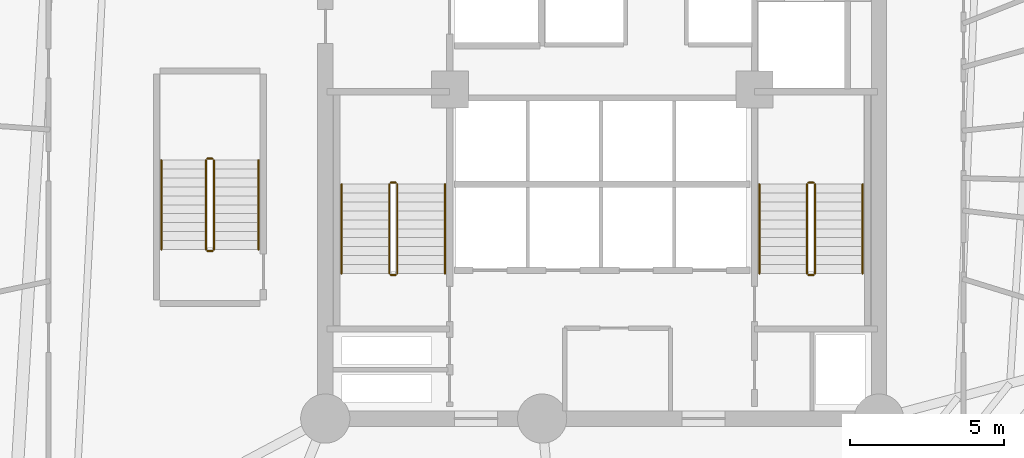
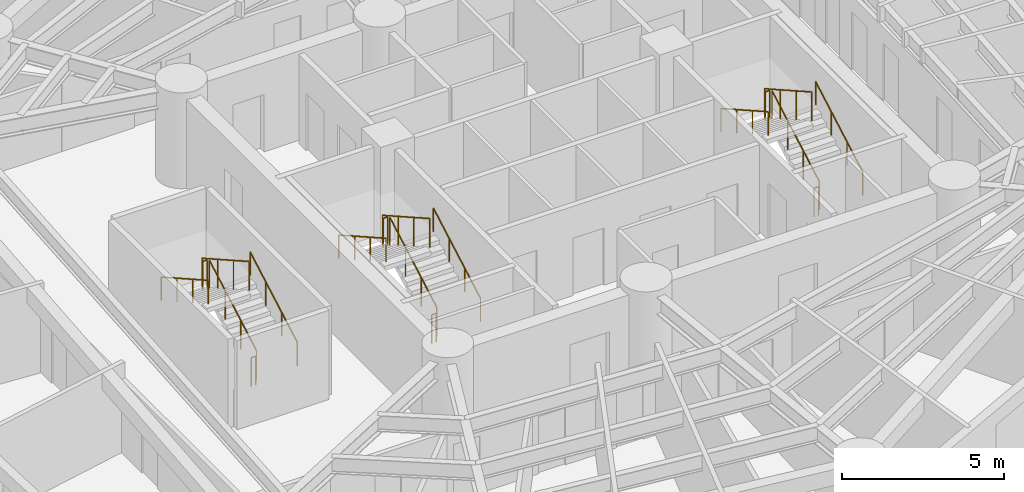
# One storey, part 8 of 8: 18 railings.
"""IFC4 building model written with IfcOpenShell, lengths in metres."""

from ifc_helpers import new_model, si_unit, direction, frame, origin, origin_2d, place, context, subcontext, project, spatial, circle, extrude, material, layer, layer_set, type_object, element, save


model = new_model("IFC4")

# Units and contexts
model_context = context("Model", 3, precision=1e-05, world=origin(), true_north=direction((0.0, 1.0)))
body_context = subcontext(model_context, "Body", "Model", "MODEL_VIEW")
ifc_project = project(units=[si_unit("LENGTHUNIT", "METRE"), si_unit("AREAUNIT", "SQUARE_METRE"), si_unit("VOLUMEUNIT", "CUBIC_METRE"), si_unit("PLANEANGLEUNIT", "RADIAN"), si_unit("MASSUNIT", "GRAM", prefix="KILO")], contexts=[model_context])

# Site, building, storey
site_placement = place(None, origin())
site = spatial("IfcSite", under=ifc_project, at=site_placement, CompositionType="ELEMENT")
building_placement = place(site_placement, origin())
building = spatial("IfcBuilding", under=site, at=building_placement, Name="Karkom Vertical University and Central Library", CompositionType="ELEMENT")
storey_placement = place(building_placement, frame((0.0, 0.0, 51.699951171875)))
storey = spatial("IfcBuildingStorey", under=building, at=storey_placement, Name="L13", CompositionType="ELEMENT", Elevation=51.699951171875)

# Railings
ifc_material_1 = material(Name="Painted galvanised steel balustrade", Category="steel")
ifc_layer_1 = layer(ifc_material_1, 0.06005859375)
ifc_layer_set_1 = layer_set([ifc_layer_1], Name="Painted galvanised steel balustrade")
railing_type_1 = type_object("IfcRailingType", Name="INT-RL-GUARD1100", PredefinedType="GUARDRAIL", material=ifc_layer_set_1)
railing_1_placement = place(storey_placement, frame((21.840087890625, 23.02001953125, 0.16357421875)))
element("IfcRailing", 1, at=railing_1_placement, inside=storey, type_object=railing_type_1, Name="Level 13 ST-1 stair guard 1", PredefinedType="GUARDRAIL", context=body_context, shape_type="SweptSolid", body=[
    extrude(circle(Radius=0.02392578125, at=origin_2d()), frame((0.0, 0.0, 1.076171875), z_axis=(0.0, 0.870897200241, 0.491465224214), x_axis=(-1.0, 0.0, 0.0)), (0.0, 0.0, 1.0), 3.329833984375),
    extrude(circle(Radius=0.02099609375, at=origin_2d()), origin(), (0.0, 0.0, 1.0), 1.052001953125),
    extrude(circle(Radius=0.02099609375, at=origin_2d()), frame((0.0, 0.966552734375, 0.54541015625)), (0.0, 0.0, 1.0), 1.052001953125),
    extrude(circle(Radius=0.02099609375, at=origin_2d()), frame((0.0, 1.933349609375, 1.091064453125)), (0.0, 0.0, 1.0), 1.052001953125),
    extrude(circle(Radius=0.02099609375, at=origin_2d()), frame((0.0, 2.89990234375, 1.636474609375)), (0.0, 0.0, 1.0), 1.052001953125),
])
railing_2_placement = place(storey_placement, frame((21.7900390625, 25.969970703125, 1.800048828125)))
element("IfcRailing", 2, at=railing_2_placement, inside=storey, type_object=railing_type_1, Name="Level 13 ST-1 stair guard 2", PredefinedType="GUARDRAIL", context=body_context, shape_type="SweptSolid", body=[
    extrude(circle(Radius=0.02392578125, at=origin_2d()), frame((0.0, 0.0, 1.076171875), z_axis=(-1.0, 0.0, 0.0), x_axis=(0.0, -1.0, 0.0)), (0.0, 0.0, 1.0), 0.16015625),
    extrude(circle(Radius=0.02099609375, at=origin_2d()), origin(), (0.0, 0.0, 1.0), 1.052001953125),
    extrude(circle(Radius=0.02099609375, at=origin_2d()), frame((-0.16015625, 0.0, 0.0)), (0.0, 0.0, 1.0), 1.052001953125),
])
railing_3_placement = place(storey_placement, frame((21.580078125, 25.919921875, 1.963623046875)))
element("IfcRailing", 3, at=railing_3_placement, inside=storey, type_object=railing_type_1, Name="Level 13 ST-1 stair guard 3", PredefinedType="GUARDRAIL", context=body_context, shape_type="SweptSolid", body=[
    extrude(circle(Radius=0.02392578125, at=origin_2d()), frame((0.0, 0.0, 1.076171875), z_axis=(0.0, -0.870897200241, 0.491465224214), x_axis=(1.0, 0.0, 0.0)), (0.0, 0.0, 1.0), 3.329833984375),
    extrude(circle(Radius=0.02099609375, at=origin_2d()), origin(), (0.0, 0.0, 1.0), 1.052001953125),
    extrude(circle(Radius=0.02099609375, at=origin_2d()), frame((0.0, -0.966552734375, 0.54541015625)), (0.0, 0.0, 1.0), 1.052001953125),
    extrude(circle(Radius=0.02099609375, at=origin_2d()), frame((0.0, -1.933349609375, 1.091064453125)), (0.0, 0.0, 1.0), 1.052001953125),
    extrude(circle(Radius=0.02099609375, at=origin_2d()), frame((0.0, -2.89990234375, 1.636474609375)), (0.0, 0.0, 1.0), 1.052001953125),
])
railing_4_placement = place(storey_placement, frame((21.7900390625, 22.969970703125, 0.0)))
element("IfcRailing", 4, at=railing_4_placement, inside=storey, type_object=railing_type_1, Name="Level 13 ST-1 stair guard 4", PredefinedType="GUARDRAIL", context=body_context, shape_type="SweptSolid", body=[
    extrude(circle(Radius=0.02392578125, at=origin_2d()), frame((0.0, 0.0, 1.076171875), z_axis=(-1.0, 0.0, 0.0), x_axis=(0.0, -1.0, 0.0)), (0.0, 0.0, 1.0), 0.16015625),
    extrude(circle(Radius=0.02099609375, at=origin_2d()), origin(), (0.0, 0.0, 1.0), 1.052001953125),
    extrude(circle(Radius=0.02099609375, at=origin_2d()), frame((-0.16015625, 0.0, 0.0)), (0.0, 0.0, 1.0), 1.052001953125),
])
railing_5_placement = place(storey_placement, frame((35.419921875, 23.02001953125, 0.16357421875)))
element("IfcRailing", 5, at=railing_5_placement, inside=storey, type_object=railing_type_1, Name="Level 13 ST-2 stair guard 1", PredefinedType="GUARDRAIL", context=body_context, shape_type="SweptSolid", body=[
    extrude(circle(Radius=0.02392578125, at=origin_2d()), frame((0.0, 0.0, 1.076171875), z_axis=(0.0, 0.870897200241, 0.491465224214), x_axis=(-1.0, 0.0, 0.0)), (0.0, 0.0, 1.0), 3.329833984375),
    extrude(circle(Radius=0.02099609375, at=origin_2d()), origin(), (0.0, 0.0, 1.0), 1.052001953125),
    extrude(circle(Radius=0.02099609375, at=origin_2d()), frame((0.0, 0.966552734375, 0.54541015625)), (0.0, 0.0, 1.0), 1.052001953125),
    extrude(circle(Radius=0.02099609375, at=origin_2d()), frame((0.0, 1.933349609375, 1.091064453125)), (0.0, 0.0, 1.0), 1.052001953125),
    extrude(circle(Radius=0.02099609375, at=origin_2d()), frame((0.0, 2.89990234375, 1.636474609375)), (0.0, 0.0, 1.0), 1.052001953125),
])
railing_6_placement = place(storey_placement, frame((35.3701171875, 25.969970703125, 1.800048828125)))
element("IfcRailing", 6, at=railing_6_placement, inside=storey, type_object=railing_type_1, Name="Level 13 ST-2 stair guard 2", PredefinedType="GUARDRAIL", context=body_context, shape_type="SweptSolid", body=[
    extrude(circle(Radius=0.02392578125, at=origin_2d()), frame((0.0, 0.0, 1.076171875), z_axis=(-1.0, 0.0, 0.0), x_axis=(0.0, -1.0, 0.0)), (0.0, 0.0, 1.0), 0.16015625),
    extrude(circle(Radius=0.02099609375, at=origin_2d()), origin(), (0.0, 0.0, 1.0), 1.052001953125),
    extrude(circle(Radius=0.02099609375, at=origin_2d()), frame((-0.16015625, 0.0, 0.0)), (0.0, 0.0, 1.0), 1.052001953125),
])
railing_7_placement = place(storey_placement, frame((35.159912109375, 25.919921875, 1.963623046875)))
element("IfcRailing", 7, at=railing_7_placement, inside=storey, type_object=railing_type_1, Name="Level 13 ST-2 stair guard 3", PredefinedType="GUARDRAIL", context=body_context, shape_type="SweptSolid", body=[
    extrude(circle(Radius=0.02392578125, at=origin_2d()), frame((0.0, 0.0, 1.076171875), z_axis=(0.0, -0.870897200241, 0.491465224214), x_axis=(1.0, 0.0, 0.0)), (0.0, 0.0, 1.0), 3.329833984375),
    extrude(circle(Radius=0.02099609375, at=origin_2d()), origin(), (0.0, 0.0, 1.0), 1.052001953125),
    extrude(circle(Radius=0.02099609375, at=origin_2d()), frame((0.0, -0.966552734375, 0.54541015625)), (0.0, 0.0, 1.0), 1.052001953125),
    extrude(circle(Radius=0.02099609375, at=origin_2d()), frame((0.0, -1.933349609375, 1.091064453125)), (0.0, 0.0, 1.0), 1.052001953125),
    extrude(circle(Radius=0.02099609375, at=origin_2d()), frame((0.0, -2.89990234375, 1.636474609375)), (0.0, 0.0, 1.0), 1.052001953125),
])
railing_8_placement = place(storey_placement, frame((35.3701171875, 22.969970703125, 0.0)))
element("IfcRailing", 8, at=railing_8_placement, inside=storey, type_object=railing_type_1, Name="Level 13 ST-2 stair guard 4", PredefinedType="GUARDRAIL", context=body_context, shape_type="SweptSolid", body=[
    extrude(circle(Radius=0.02392578125, at=origin_2d()), frame((0.0, 0.0, 1.076171875), z_axis=(-1.0, 0.0, 0.0), x_axis=(0.0, -1.0, 0.0)), (0.0, 0.0, 1.0), 0.16015625),
    extrude(circle(Radius=0.02099609375, at=origin_2d()), origin(), (0.0, 0.0, 1.0), 1.052001953125),
    extrude(circle(Radius=0.02099609375, at=origin_2d()), frame((-0.16015625, 0.0, 0.0)), (0.0, 0.0, 1.0), 1.052001953125),
])
railing_9_placement = place(storey_placement, frame((15.8798828125, 23.800048828125, 0.16357421875)))
element("IfcRailing", 9, at=railing_9_placement, inside=storey, type_object=railing_type_1, Name="Level 13 ST-3 stair guard 1", PredefinedType="GUARDRAIL", context=body_context, shape_type="SweptSolid", body=[
    extrude(circle(Radius=0.02392578125, at=origin_2d()), frame((0.0, 0.0, 1.076171875), z_axis=(0.0, 0.870897200241, 0.491465224214), x_axis=(-1.0, 0.0, 0.0)), (0.0, 0.0, 1.0), 3.329833984375),
    extrude(circle(Radius=0.02099609375, at=origin_2d()), origin(), (0.0, 0.0, 1.0), 1.052001953125),
    extrude(circle(Radius=0.02099609375, at=origin_2d()), frame((0.0, 0.966552734375, 0.54541015625)), (0.0, 0.0, 1.0), 1.052001953125),
    extrude(circle(Radius=0.02099609375, at=origin_2d()), frame((0.0, 1.933349609375, 1.091064453125)), (0.0, 0.0, 1.0), 1.052001953125),
    extrude(circle(Radius=0.02099609375, at=origin_2d()), frame((0.0, 2.89990234375, 1.636474609375)), (0.0, 0.0, 1.0), 1.052001953125),
])
railing_10_placement = place(storey_placement, frame((15.830078125, 26.75, 1.800048828125)))
element("IfcRailing", 10, at=railing_10_placement, inside=storey, type_object=railing_type_1, Name="Level 13 ST-3 stair guard 2", PredefinedType="GUARDRAIL", context=body_context, shape_type="SweptSolid", body=[
    extrude(circle(Radius=0.02392578125, at=origin_2d()), frame((0.0, 0.0, 1.076171875), z_axis=(-1.0, 0.0, 0.0), x_axis=(0.0, -1.0, 0.0)), (0.0, 0.0, 1.0), 0.16015625),
    extrude(circle(Radius=0.02099609375, at=origin_2d()), origin(), (0.0, 0.0, 1.0), 1.052001953125),
    extrude(circle(Radius=0.02099609375, at=origin_2d()), frame((-0.16015625, 0.0, 0.0)), (0.0, 0.0, 1.0), 1.052001953125),
])
railing_11_placement = place(storey_placement, frame((15.6201171875, 26.699951171875, 1.963623046875)))
element("IfcRailing", 11, at=railing_11_placement, inside=storey, type_object=railing_type_1, Name="Level 13 ST-3 stair guard 3", PredefinedType="GUARDRAIL", context=body_context, shape_type="SweptSolid", body=[
    extrude(circle(Radius=0.02392578125, at=origin_2d()), frame((0.0, 0.0, 1.076171875), z_axis=(0.0, -0.870897200241, 0.491465224214), x_axis=(1.0, 0.0, 0.0)), (0.0, 0.0, 1.0), 3.329833984375),
    extrude(circle(Radius=0.02099609375, at=origin_2d()), origin(), (0.0, 0.0, 1.0), 1.052001953125),
    extrude(circle(Radius=0.02099609375, at=origin_2d()), frame((0.0, -0.966552734375, 0.54541015625)), (0.0, 0.0, 1.0), 1.052001953125),
    extrude(circle(Radius=0.02099609375, at=origin_2d()), frame((0.0, -1.933349609375, 1.091064453125)), (0.0, 0.0, 1.0), 1.052001953125),
    extrude(circle(Radius=0.02099609375, at=origin_2d()), frame((0.0, -2.89990234375, 1.636474609375)), (0.0, 0.0, 1.0), 1.052001953125),
])
railing_12_placement = place(storey_placement, frame((15.830078125, 23.75, 0.0)))
element("IfcRailing", 12, at=railing_12_placement, inside=storey, type_object=railing_type_1, Name="Level 13 ST-3 stair guard 4", PredefinedType="GUARDRAIL", context=body_context, shape_type="SweptSolid", body=[
    extrude(circle(Radius=0.02392578125, at=origin_2d()), frame((0.0, 0.0, 1.076171875), z_axis=(-1.0, 0.0, 0.0), x_axis=(0.0, -1.0, 0.0)), (0.0, 0.0, 1.0), 0.16015625),
    extrude(circle(Radius=0.02099609375, at=origin_2d()), origin(), (0.0, 0.0, 1.0), 1.052001953125),
    extrude(circle(Radius=0.02099609375, at=origin_2d()), frame((-0.16015625, 0.0, 0.0)), (0.0, 0.0, 1.0), 1.052001953125),
])
ifc_material_2 = material(Name="Brushed stainless-steel tubular handrail", Category="steel")
ifc_layer_2 = layer(ifc_material_2, 0.048095703125)
ifc_layer_set_2 = layer_set([ifc_layer_2], Name="Brushed stainless-steel tubular handrail")
railing_type_2 = type_object("IfcRailingType", Name="INT-RL-HAND920", PredefinedType="HANDRAIL", material=ifc_layer_set_2)
railing_13_placement = place(storey_placement, frame((23.389892578125, 23.02001953125, 0.16357421875)))
element("IfcRailing", 13, at=railing_13_placement, inside=storey, type_object=railing_type_2, Name="Level 13 ST-1 stair handrail 1", PredefinedType="HANDRAIL", context=body_context, shape_type="SweptSolid", body=[
    extrude(circle(Radius=0.02392578125, at=origin_2d()), frame((0.0, 0.0, 0.8759765625), z_axis=(0.0, 0.870897200241, 0.491465224214), x_axis=(-1.0, 0.0, 0.0)), (0.0, 0.0, 1.0), 3.329833984375),
    extrude(circle(Radius=0.02099609375, at=origin_2d()), origin(), (0.0, 0.0, 1.0), 0.851806640625),
    extrude(circle(Radius=0.02099609375, at=origin_2d()), frame((0.0, 0.966552734375, 0.54541015625)), (0.0, 0.0, 1.0), 0.851806640625),
    extrude(circle(Radius=0.02099609375, at=origin_2d()), frame((0.0, 1.933349609375, 1.091064453125)), (0.0, 0.0, 1.0), 0.851806640625),
    extrude(circle(Radius=0.02099609375, at=origin_2d()), frame((0.0, 2.89990234375, 1.636474609375)), (0.0, 0.0, 1.0), 0.851806640625),
])
railing_14_placement = place(storey_placement, frame((20.030029296875, 25.919921875, 1.963623046875)))
element("IfcRailing", 14, at=railing_14_placement, inside=storey, type_object=railing_type_2, Name="Level 13 ST-1 stair handrail 2", PredefinedType="HANDRAIL", context=body_context, shape_type="SweptSolid", body=[
    extrude(circle(Radius=0.02392578125, at=origin_2d()), frame((0.0, 0.0, 0.8759765625), z_axis=(0.0, -0.870897200241, 0.491465224214), x_axis=(1.0, 0.0, 0.0)), (0.0, 0.0, 1.0), 3.329833984375),
    extrude(circle(Radius=0.02099609375, at=origin_2d()), origin(), (0.0, 0.0, 1.0), 0.851806640625),
    extrude(circle(Radius=0.02099609375, at=origin_2d()), frame((0.0, -0.966552734375, 0.54541015625)), (0.0, 0.0, 1.0), 0.851806640625),
    extrude(circle(Radius=0.02099609375, at=origin_2d()), frame((0.0, -1.933349609375, 1.091064453125)), (0.0, 0.0, 1.0), 0.851806640625),
    extrude(circle(Radius=0.02099609375, at=origin_2d()), frame((0.0, -2.89990234375, 1.636474609375)), (0.0, 0.0, 1.0), 0.851806640625),
])
railing_15_placement = place(storey_placement, frame((36.969970703125, 23.02001953125, 0.16357421875)))
element("IfcRailing", 15, at=railing_15_placement, inside=storey, type_object=railing_type_2, Name="Level 13 ST-2 stair handrail 1", PredefinedType="HANDRAIL", context=body_context, shape_type="SweptSolid", body=[
    extrude(circle(Radius=0.02392578125, at=origin_2d()), frame((0.0, 0.0, 0.8759765625), z_axis=(0.0, 0.870897200241, 0.491465224214), x_axis=(-1.0, 0.0, 0.0)), (0.0, 0.0, 1.0), 3.329833984375),
    extrude(circle(Radius=0.02099609375, at=origin_2d()), origin(), (0.0, 0.0, 1.0), 0.851806640625),
    extrude(circle(Radius=0.02099609375, at=origin_2d()), frame((0.0, 0.966552734375, 0.54541015625)), (0.0, 0.0, 1.0), 0.851806640625),
    extrude(circle(Radius=0.02099609375, at=origin_2d()), frame((0.0, 1.933349609375, 1.091064453125)), (0.0, 0.0, 1.0), 0.851806640625),
    extrude(circle(Radius=0.02099609375, at=origin_2d()), frame((0.0, 2.89990234375, 1.636474609375)), (0.0, 0.0, 1.0), 0.851806640625),
])
railing_16_placement = place(storey_placement, frame((33.610107421875, 25.919921875, 1.963623046875)))
element("IfcRailing", 16, at=railing_16_placement, inside=storey, type_object=railing_type_2, Name="Level 13 ST-2 stair handrail 2", PredefinedType="HANDRAIL", context=body_context, shape_type="SweptSolid", body=[
    extrude(circle(Radius=0.02392578125, at=origin_2d()), frame((0.0, 0.0, 0.8759765625), z_axis=(0.0, -0.870897200241, 0.491465224214), x_axis=(1.0, 0.0, 0.0)), (0.0, 0.0, 1.0), 3.329833984375),
    extrude(circle(Radius=0.02099609375, at=origin_2d()), origin(), (0.0, 0.0, 1.0), 0.851806640625),
    extrude(circle(Radius=0.02099609375, at=origin_2d()), frame((0.0, -0.966552734375, 0.54541015625)), (0.0, 0.0, 1.0), 0.851806640625),
    extrude(circle(Radius=0.02099609375, at=origin_2d()), frame((0.0, -1.933349609375, 1.091064453125)), (0.0, 0.0, 1.0), 0.851806640625),
    extrude(circle(Radius=0.02099609375, at=origin_2d()), frame((0.0, -2.89990234375, 1.636474609375)), (0.0, 0.0, 1.0), 0.851806640625),
])
railing_17_placement = place(storey_placement, frame((17.330078125, 23.800048828125, 0.16357421875)))
element("IfcRailing", 17, at=railing_17_placement, inside=storey, type_object=railing_type_2, Name="Level 13 ST-3 stair handrail 1", PredefinedType="HANDRAIL", context=body_context, shape_type="SweptSolid", body=[
    extrude(circle(Radius=0.02392578125, at=origin_2d()), frame((0.0, 0.0, 0.8759765625), z_axis=(0.0, 0.870897200241, 0.491465224214), x_axis=(-1.0, 0.0, 0.0)), (0.0, 0.0, 1.0), 3.329833984375),
    extrude(circle(Radius=0.02099609375, at=origin_2d()), origin(), (0.0, 0.0, 1.0), 0.851806640625),
    extrude(circle(Radius=0.02099609375, at=origin_2d()), frame((0.0, 0.966552734375, 0.54541015625)), (0.0, 0.0, 1.0), 0.851806640625),
    extrude(circle(Radius=0.02099609375, at=origin_2d()), frame((0.0, 1.933349609375, 1.091064453125)), (0.0, 0.0, 1.0), 0.851806640625),
    extrude(circle(Radius=0.02099609375, at=origin_2d()), frame((0.0, 2.89990234375, 1.636474609375)), (0.0, 0.0, 1.0), 0.851806640625),
])
railing_18_placement = place(storey_placement, frame((14.169921875, 26.699951171875, 1.963623046875)))
element("IfcRailing", 18, at=railing_18_placement, inside=storey, type_object=railing_type_2, Name="Level 13 ST-3 stair handrail 2", PredefinedType="HANDRAIL", context=body_context, shape_type="SweptSolid", body=[
    extrude(circle(Radius=0.02392578125, at=origin_2d()), frame((0.0, 0.0, 0.8759765625), z_axis=(0.0, -0.870897200241, 0.491465224214), x_axis=(1.0, 0.0, 0.0)), (0.0, 0.0, 1.0), 3.329833984375),
    extrude(circle(Radius=0.02099609375, at=origin_2d()), origin(), (0.0, 0.0, 1.0), 0.851806640625),
    extrude(circle(Radius=0.02099609375, at=origin_2d()), frame((0.0, -0.966552734375, 0.54541015625)), (0.0, 0.0, 1.0), 0.851806640625),
    extrude(circle(Radius=0.02099609375, at=origin_2d()), frame((0.0, -1.933349609375, 1.091064453125)), (0.0, 0.0, 1.0), 0.851806640625),
    extrude(circle(Radius=0.02099609375, at=origin_2d()), frame((0.0, -2.89990234375, 1.636474609375)), (0.0, 0.0, 1.0), 0.851806640625),
])

save(model, "model.ifc")
